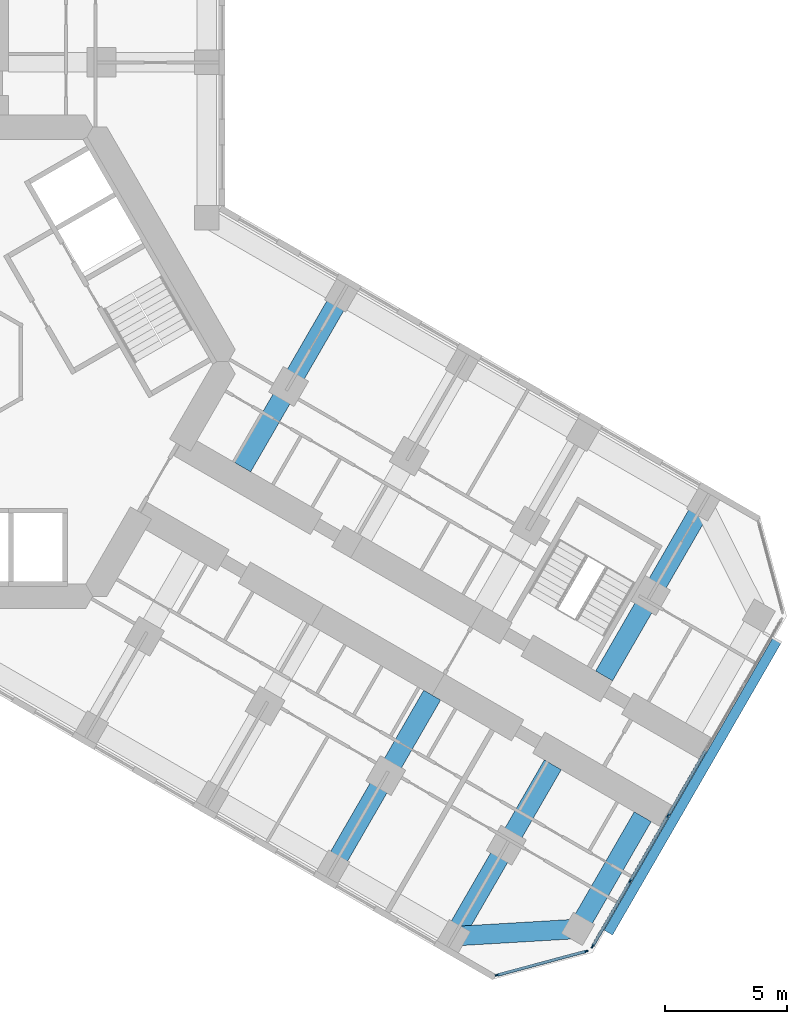
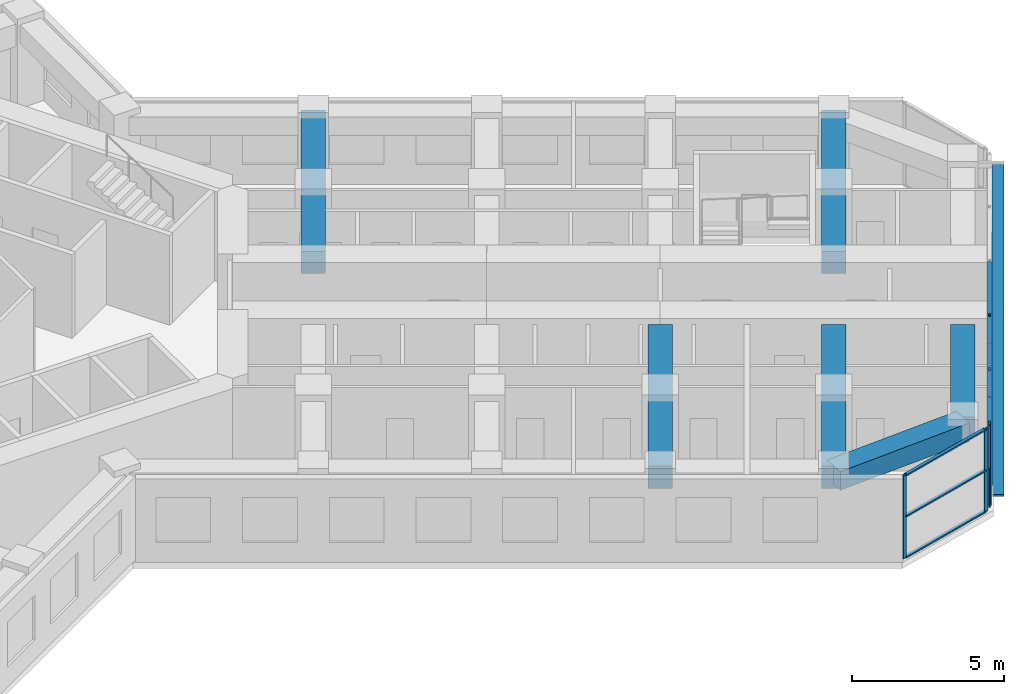
# One storey, part 5 of 21: 15 members, 6 beams, 2 elements without a shape of their own.
"""IFC4 building model written with IfcOpenShell, lengths in metres."""

from ifc_helpers import new_model, si_unit, direction, frame, origin, origin_2d, place, context, subcontext, project, spatial, rectangle, extrude, material, material_profile, profile_set, type_object, element, aggregate, save


model = new_model("IFC4")

# Units and contexts
model_context = context("Model", 3, precision=1e-05, world=origin(), true_north=direction((0.0, 1.0)))
body_context = subcontext(model_context, "Body", "Model", "MODEL_VIEW")
ifc_project = project(units=[si_unit("LENGTHUNIT", "METRE"), si_unit("AREAUNIT", "SQUARE_METRE"), si_unit("VOLUMEUNIT", "CUBIC_METRE"), si_unit("PLANEANGLEUNIT", "RADIAN"), si_unit("MASSUNIT", "GRAM", prefix="KILO")], contexts=[model_context])

# Site, building, storey
site_placement = place(None, origin())
site = spatial("IfcSite", under=ifc_project, at=site_placement, CompositionType="ELEMENT")
building_placement = place(site_placement, origin())
building = spatial("IfcBuilding", under=site, at=building_placement, Name="Kosmar Iwan School Tower", CompositionType="ELEMENT")
storey_placement = place(building_placement, frame((0.0, 0.0, 46.60009765625)))
storey = spatial("IfcBuildingStorey", under=building, at=storey_placement, Name="L10", CompositionType="ELEMENT", Elevation=46.60009765625)

# Member
ifc_material_1 = material(Name="Black anodised aluminium", Category="aluminium")
ifc_material_profile_1 = material_profile(ifc_material_1, rectangle(XDim=0.10009765625, YDim=0.39990234375, at=origin_2d()), Name="FIN 100x400")
ifc_profile_set_1 = profile_set([ifc_material_profile_1], Name="Black anodised aluminium")
member_type_1 = type_object("IfcMemberType", Name="Diagonal fin 100x400", PredefinedType="USERDEFINED", material=ifc_profile_set_1)
member_1_placement = place(storey_placement, frame((26.645263671875, -23.34912109375, -0.150146484375), z_axis=(0.483793446988, 0.837970316603, 0.25248692866), x_axis=(-0.126241714543, -0.218661104574, 0.96760030532)))
element("IfcMember", 1, at=member_1_placement, inside=storey, type_object=member_type_1, Name="Diagonal fin L10-F03", ObjectType="FIN", PredefinedType="USERDEFINED", context=body_context, shape_type="SweptSolid", body=[
    extrude(rectangle(XDim=0.10009765625, YDim=0.39990234375, at=origin_2d()), origin(), (0.0, 0.0, 1.0), 14.258544921875),
])

# Curtain wall, members
ifc_material_2 = material(Name="Dark glass in black aluminium frame", Category="aluminium")
curtain_wall_type_1 = type_object("IfcCurtainWallType", Name="Chamfer curtain wall dark glass", PredefinedType="USERDEFINED", material=ifc_material_2)
curtain_wall_1_placement = place(storey_placement, origin())
curtain_wall_1 = element("IfcCurtainWall", 2, at=curtain_wall_1_placement, inside=storey, type_object=curtain_wall_type_1, Name="Curtain wall L10-F02", ObjectType="FACETED CURTAIN WALL", PredefinedType="USERDEFINED")
ifc_material_3 = material(Name="Black anodised aluminium", Category="aluminium")
ifc_material_profile_2 = material_profile(ifc_material_3, rectangle(XDim=0.06005859375, YDim=0.159912109375, at=origin_2d()), Name="MULLION 60x160")
ifc_profile_set_2 = profile_set([ifc_material_profile_2], Name="Black anodised aluminium")
member_type_2 = type_object("IfcMemberType", Name="Mullion 60x160", PredefinedType="MULLION", material=ifc_profile_set_2)
member_2_placement = place(storey_placement, frame((22.0830078125, -25.102294921875, 0.0), z_axis=(0.0, 0.0, 1.0), x_axis=(-0.258818861462, 0.965925875495, 0.0)))
member_2 = element("IfcMember", 3, at=member_2_placement, type_object=member_type_2, Name="CW2 mullion 1", PredefinedType="MULLION", context=body_context, shape_type="SweptSolid", body=[
    extrude(rectangle(XDim=0.06005859375, YDim=0.159912109375, at=origin_2d()), origin(), (0.0, 0.0, 1.0), 3.349853515625),
])
member_3_placement = place(storey_placement, frame((25.733154296875, -24.124267578125, 0.0), z_axis=(0.0, 0.0, 1.0), x_axis=(-0.258818861462, 0.965925875495, 0.0)))
member_3 = element("IfcMember", 4, at=member_3_placement, type_object=member_type_2, Name="CW2 mullion 2", PredefinedType="MULLION", context=body_context, shape_type="SweptSolid", body=[
    extrude(rectangle(XDim=0.06005859375, YDim=0.159912109375, at=origin_2d()), origin(), (0.0, 0.0, 1.0), 3.349853515625),
])

ifc_material_4 = material(Name="Dark glass in black aluminium frame", Category="aluminium")
curtain_wall_type_2 = type_object("IfcCurtainWallType", Name="Tower curtain wall dark glass", PredefinedType="USERDEFINED", material=ifc_material_4)
curtain_wall_2_placement = place(storey_placement, origin())
curtain_wall_2 = element("IfcCurtainWall", 5, at=curtain_wall_2_placement, inside=storey, type_object=curtain_wall_type_2, Name="Curtain wall L10-F03", ObjectType="UNITISED CURTAIN WALL", PredefinedType="USERDEFINED")
member_4_placement = place(storey_placement, frame((25.9970703125, -23.921630859375, 0.0), z_axis=(0.0, 0.0, 1.0), x_axis=(-0.866025405329, 0.499999997325, 0.0)))
member_4 = element("IfcMember", 6, at=member_4_placement, type_object=member_type_2, Name="CW1 mullion 1", PredefinedType="MULLION", context=body_context, shape_type="SweptSolid", body=[
    extrude(rectangle(XDim=0.06005859375, YDim=0.159912109375, at=origin_2d()), origin(), (0.0, 0.0, 1.0), 3.349853515625),
])
member_5_placement = place(storey_placement, frame((27.53173828125, -21.263671875, 0.0), z_axis=(0.0, 0.0, 1.0), x_axis=(-0.866025405329, 0.499999997325, 0.0)))
member_5 = element("IfcMember", 7, at=member_5_placement, type_object=member_type_2, Name="CW1 mullion 2", PredefinedType="MULLION", context=body_context, shape_type="SweptSolid", body=[
    extrude(rectangle(XDim=0.06005859375, YDim=0.159912109375, at=origin_2d()), origin(), (0.0, 0.0, 1.0), 3.349853515625),
])
member_6_placement = place(storey_placement, frame((29.081298828125, -18.57958984375, 0.0), z_axis=(0.0, 0.0, 1.0), x_axis=(-0.866025405329, 0.499999997325, 0.0)))
member_6 = element("IfcMember", 8, at=member_6_placement, type_object=member_type_2, Name="CW1 mullion 3", PredefinedType="MULLION", context=body_context, shape_type="SweptSolid", body=[
    extrude(rectangle(XDim=0.06005859375, YDim=0.159912109375, at=origin_2d()), origin(), (0.0, 0.0, 1.0), 3.349853515625),
])

# Beams
ifc_material_5 = material(Name="Concrete C50/60", Category="concrete")
ifc_material_profile_3 = material_profile(ifc_material_5, rectangle(XDim=0.800048828125, YDim=0.75, at=origin_2d()), Name="RC 800x750")
ifc_profile_set_3 = profile_set([ifc_material_profile_3], Name="Concrete C50/60")
beam_type_1 = type_object("IfcBeamType", Name="RC tip beam 800x750", PredefinedType="BEAM", material=ifc_profile_set_3)
beam_1_placement = place(storey_placement, frame((20.31787109375, -23.508544921875, 2.974853515625), z_axis=(0.998260616478, 0.058955420358, 0.0), x_axis=(-0.058955420358, 0.998260616478, 0.0)))
element("IfcBeam", 9, at=beam_1_placement, inside=storey, type_object=beam_type_1, Name="Tip beam CR", PredefinedType="BEAM", context=body_context, shape_type="SweptSolid", body=[
    extrude(rectangle(XDim=0.800048828125, YDim=0.75, at=origin_2d()), origin(), (0.0, 0.0, 1.0), 5.08935546875),
])
beam_2_placement = place(storey_placement, frame((25.3984375, -23.20849609375, 2.974853515625), z_axis=(0.499993606316, 0.866029095148, 0.0), x_axis=(-0.866029095148, 0.499993606316, 0.0)))
element("IfcBeam", 10, at=beam_2_placement, inside=storey, type_object=beam_type_1, Name="Tip beam CR to corridor wall", PredefinedType="BEAM", context=body_context, shape_type="SweptSolid", body=[
    extrude(rectangle(XDim=0.800048828125, YDim=0.75, at=origin_2d()), origin(), (0.0, 0.0, 1.0), 5.2998046875),
])
ifc_material_6 = material(Name="Concrete C50/60", Category="concrete")
ifc_material_profile_4 = material_profile(ifc_material_6, rectangle(XDim=0.800048828125, YDim=0.89990234375, at=origin_2d()), Name="RC 800x900")
ifc_profile_set_4 = profile_set([ifc_material_profile_4], Name="Concrete C50/60")
beam_type_2 = type_object("IfcBeamType", Name="RC transverse beam 800x900", PredefinedType="BEAM", material=ifc_profile_set_4)
for number, where, z_axis, x_axis, name in (
    (11, (15.708740234375, 2.70849609375, 2.89990234375), (-0.499999880539, -0.866025472755, 0.0), (0.866025472755, -0.499999880539, 0.0), "Transverse beam CL1"),
    (12, (30.517822265625, -5.841552734375, 2.89990234375), (-0.499999880539, -0.866025472755, 0.0), (0.866025472755, -0.499999880539, 0.0), "Transverse beam CL4"),
    (13, (15.381591796875, -20.658447265625, 2.89990234375), (0.499977274689, 0.866038523851, 0.0), (-0.866038523851, 0.499977274689, 0.0), "Transverse beam CR3"),
    (14, (20.31787109375, -23.508544921875, 2.89990234375), (0.499999880539, 0.866025472755, 0.0), (-0.866025472755, 0.499999880539, 0.0), "Transverse beam CR4"),
):
    element("IfcBeam", number, at=place(storey_placement, frame(where, z_axis=z_axis, x_axis=x_axis)), inside=storey, type_object=beam_type_2, Name=name, PredefinedType="BEAM", context=body_context, shape_type="SweptSolid", body=[
        extrude(rectangle(XDim=0.800048828125, YDim=0.89990234375, at=origin_2d()), origin(), (0.0, 0.0, 1.0), 8.10009765625),
    ])

# Member
ifc_material_7 = material(Name="Black anodised aluminium", Category="aluminium")
ifc_material_profile_5 = material_profile(ifc_material_7, rectangle(XDim=0.1201171875, YDim=0.06005859375, at=origin_2d()), Name="TRANSOM 60x120")
ifc_profile_set_5 = profile_set([ifc_material_profile_5], Name="Black anodised aluminium")
member_type_3 = type_object("IfcMemberType", Name="Transom 60x120", PredefinedType="USERDEFINED", material=ifc_profile_set_5)
member_7_placement = place(storey_placement, frame((22.11181640625, -25.094482421875, 0.02978515625), z_axis=(0.965923731726, 0.258826861991, 0.0), x_axis=(-0.258826861991, 0.965923731726, 0.0)))
member_7 = element("IfcMember", 15, at=member_7_placement, type_object=member_type_3, Name="CW2 transom 1.1", ObjectType="TRANSOM", PredefinedType="USERDEFINED", context=body_context, shape_type="SweptSolid", body=[
    extrude(rectangle(XDim=0.1201171875, YDim=0.06005859375, at=origin_2d()), origin(), (0.0, 0.0, 1.0), 3.71923828125),
])

member_8_placement = place(storey_placement, frame((22.11181640625, -25.094482421875, 1.6748046875), z_axis=(0.965923731726, 0.258826861991, 0.0), x_axis=(-0.258826861991, 0.965923731726, 0.0)))
member_8 = element("IfcMember", 16, at=member_8_placement, type_object=member_type_3, Name="CW2 transom 1.2", ObjectType="TRANSOM", PredefinedType="USERDEFINED", context=body_context, shape_type="SweptSolid", body=[
    extrude(rectangle(XDim=0.1201171875, YDim=0.06005859375, at=origin_2d()), origin(), (0.0, 0.0, 1.0), 3.71923828125),
])

member_9_placement = place(storey_placement, frame((22.11181640625, -25.094482421875, 3.31982421875), z_axis=(0.965923731726, 0.258826861991, 0.0), x_axis=(-0.258826861991, 0.965923731726, 0.0)))
member_9 = element("IfcMember", 17, at=member_9_placement, type_object=member_type_3, Name="CW2 transom 1.3", ObjectType="TRANSOM", PredefinedType="USERDEFINED", context=body_context, shape_type="SweptSolid", body=[
    extrude(rectangle(XDim=0.1201171875, YDim=0.06005859375, at=origin_2d()), origin(), (0.0, 0.0, 1.0), 3.71923828125),
])

aggregate(curtain_wall_1, [member_2, member_3, member_7, member_8, member_9])

member_10_placement = place(storey_placement, frame((26.01220703125, -23.895751953125, 0.02978515625), z_axis=(0.499986971506, 0.866032925658, 0.0), x_axis=(-0.866032925658, 0.499986971506, 0.0)))
member_10 = element("IfcMember", 18, at=member_10_placement, type_object=member_type_3, Name="CW1 transom 1.1", ObjectType="TRANSOM", PredefinedType="USERDEFINED", context=body_context, shape_type="SweptSolid", body=[
    extrude(rectangle(XDim=0.1201171875, YDim=0.06005859375, at=origin_2d()), origin(), (0.0, 0.0, 1.0), 3.00927734375),
])

member_11_placement = place(storey_placement, frame((26.01220703125, -23.895751953125, 3.31982421875), z_axis=(0.499986971506, 0.866032925658, 0.0), x_axis=(-0.866032925658, 0.499986971506, 0.0)))
member_11 = element("IfcMember", 19, at=member_11_placement, type_object=member_type_3, Name="CW1 transom 1.2", ObjectType="TRANSOM", PredefinedType="USERDEFINED", context=body_context, shape_type="SweptSolid", body=[
    extrude(rectangle(XDim=0.1201171875, YDim=0.06005859375, at=origin_2d()), origin(), (0.0, 0.0, 1.0), 3.00927734375),
])

member_12_placement = place(storey_placement, frame((27.546875, -21.237548828125, 0.02978515625), z_axis=(0.499975102327, 0.866039777986, 0.0), x_axis=(-0.866039777986, 0.499975102327, 0.0)))
member_12 = element("IfcMember", 20, at=member_12_placement, type_object=member_type_3, Name="CW1 transom 2.1", ObjectType="TRANSOM", PredefinedType="USERDEFINED", context=body_context, shape_type="SweptSolid", body=[
    extrude(rectangle(XDim=0.1201171875, YDim=0.06005859375, at=origin_2d()), origin(), (0.0, 0.0, 1.0), 3.039306640625),
])

member_13_placement = place(storey_placement, frame((27.546875, -21.237548828125, 3.31982421875), z_axis=(0.499975102327, 0.866039777986, 0.0), x_axis=(-0.866039777986, 0.499975102327, 0.0)))
member_13 = element("IfcMember", 21, at=member_13_placement, type_object=member_type_3, Name="CW1 transom 2.2", ObjectType="TRANSOM", PredefinedType="USERDEFINED", context=body_context, shape_type="SweptSolid", body=[
    extrude(rectangle(XDim=0.1201171875, YDim=0.06005859375, at=origin_2d()), origin(), (0.0, 0.0, 1.0), 3.039306640625),
])

member_14_placement = place(storey_placement, frame((29.096435546875, -18.553466796875, 0.02978515625), z_axis=(0.499975102327, 0.866039777986, 0.0), x_axis=(-0.866039777986, 0.499975102327, 0.0)))
member_14 = element("IfcMember", 22, at=member_14_placement, type_object=member_type_3, Name="CW1 transom 3.1", ObjectType="TRANSOM", PredefinedType="USERDEFINED", context=body_context, shape_type="SweptSolid", body=[
    extrude(rectangle(XDim=0.1201171875, YDim=0.06005859375, at=origin_2d()), origin(), (0.0, 0.0, 1.0), 3.039306640625),
])

member_15_placement = place(storey_placement, frame((29.096435546875, -18.553466796875, 3.31982421875), z_axis=(0.499975102327, 0.866039777986, 0.0), x_axis=(-0.866039777986, 0.499975102327, 0.0)))
member_15 = element("IfcMember", 23, at=member_15_placement, type_object=member_type_3, Name="CW1 transom 3.2", ObjectType="TRANSOM", PredefinedType="USERDEFINED", context=body_context, shape_type="SweptSolid", body=[
    extrude(rectangle(XDim=0.1201171875, YDim=0.06005859375, at=origin_2d()), origin(), (0.0, 0.0, 1.0), 3.039306640625),
])

aggregate(curtain_wall_2, [member_4, member_5, member_6, member_10, member_11, member_12, member_13, member_14, member_15])

save(model, "model.ifc")
